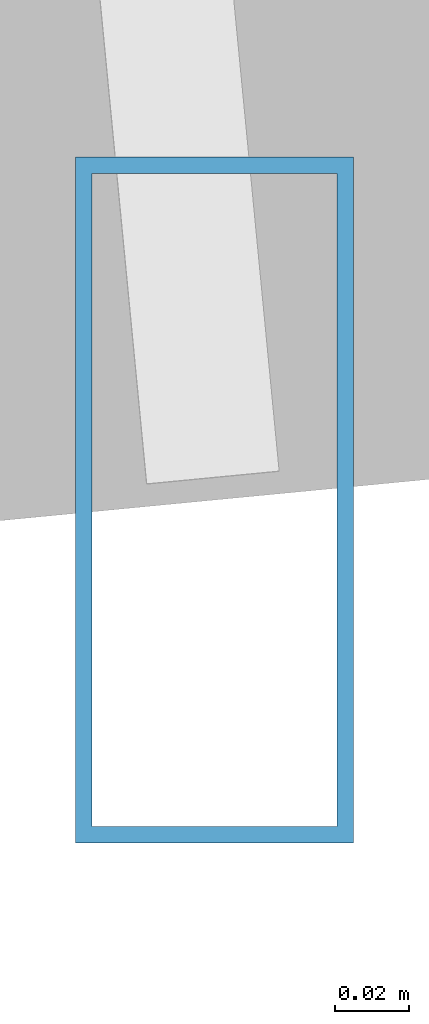
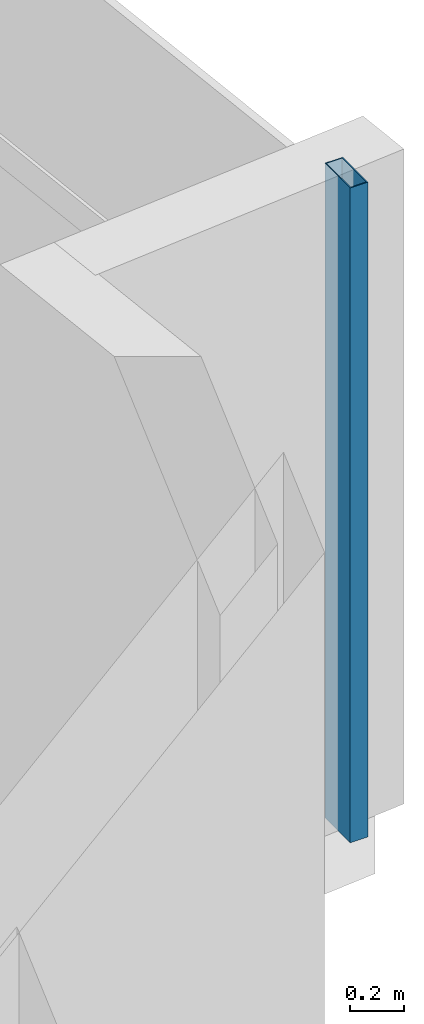
# One storey, part 14 of 27: 1 member, 1 element without a shape of its own.
"""IFC4 building model written with IfcOpenShell, lengths in metres."""

from ifc_helpers import new_model, si_unit, direction, frame, origin, origin_2d, place, context, subcontext, project, spatial, hollow_rectangle, extrude, source, transform, mapped, material, material_profile, profile_set, type_object, type_shapes, element, aggregate, save


model = new_model("IFC4")

# Units and contexts
model_context = context("Model", 3, precision=1e-05, world=origin(), true_north=direction((0.0, 1.0)))
body_context = subcontext(model_context, "Body", "Model", "MODEL_VIEW")
ifc_project = project(units=[si_unit("LENGTHUNIT", "METRE"), si_unit("AREAUNIT", "SQUARE_METRE"), si_unit("VOLUMEUNIT", "CUBIC_METRE"), si_unit("PLANEANGLEUNIT", "RADIAN"), si_unit("MASSUNIT", "GRAM", prefix="KILO")], contexts=[model_context])

# Site, building, storey
site_placement = place(None, origin())
site = spatial("IfcSite", under=ifc_project, at=site_placement, CompositionType="ELEMENT")
building_placement = place(site_placement, origin())
building = spatial("IfcBuilding", under=site, at=building_placement, Name="Astriad Promenade Condominiums", CompositionType="ELEMENT")
storey_placement = place(building_placement, frame((0.0, 0.0, 84.199951171875)))
storey = spatial("IfcBuildingStorey", under=building, at=storey_placement, Name="L23", CompositionType="ELEMENT", Elevation=84.199951171875)

# Curtain wall, member
ifc_material_1 = material(Name="Anodised aluminium Black Dark Glass Unitised", Category="aluminium")
curtain_wall_type = type_object("IfcCurtainWallType", Name="CW-B2-DARK", PredefinedType="USERDEFINED", material=ifc_material_1)
curtain_wall_placement = place(storey_placement, origin())
curtain_wall = element("IfcCurtainWall", 1, at=curtain_wall_placement, inside=storey, type_object=curtain_wall_type, Name="CW-L23-E", ObjectType="UNITISED_CURTAIN_WALL", PredefinedType="USERDEFINED")
ifc_material_2 = material(Name="Anodised aluminium 6063-T6 Black", Category="aluminium")
ifc_material_profile = material_profile(ifc_material_2, hollow_rectangle(XDim=0.074951171875, YDim=0.18505859375, WallThickness=0.00439453125, at=origin_2d()), Name="ALU-MUL-75X185")
ifc_profile_set = profile_set([ifc_material_profile], Name="Anodised aluminium 6063-T6 Black")
member_type = type_object("IfcMemberType", Name="MUL-ALU-MUL-75X185", PredefinedType="MULLION", material=ifc_profile_set)
shared_shape = source(origin(), body_context, "Body", "SweptSolid", [
    extrude(hollow_rectangle(XDim=0.074951171875, YDim=0.18505859375, WallThickness=0.00439453125, at=origin_2d()), origin(), (0.0, 0.0, 1.0), 2.93994140625),
])
type_shapes(member_type, [shared_shape])
member_placement = place(storey_placement, frame((69.4521484375, 11.67822265625, 0.0), z_axis=(0.0, 0.0, 1.0), x_axis=(1.0, 0.0, 0.0)))
member = element("IfcMember", 2, at=member_placement, type_object=member_type, Name="CW-L23-E-MUL-03", PredefinedType="MULLION", context=body_context, shape_type="MappedRepresentation", body=[
    mapped(shared_shape, transform((0.0, 0.0, 0.0), scale=1.0)),
])
aggregate(curtain_wall, [member])

save(model, "model.ifc")
